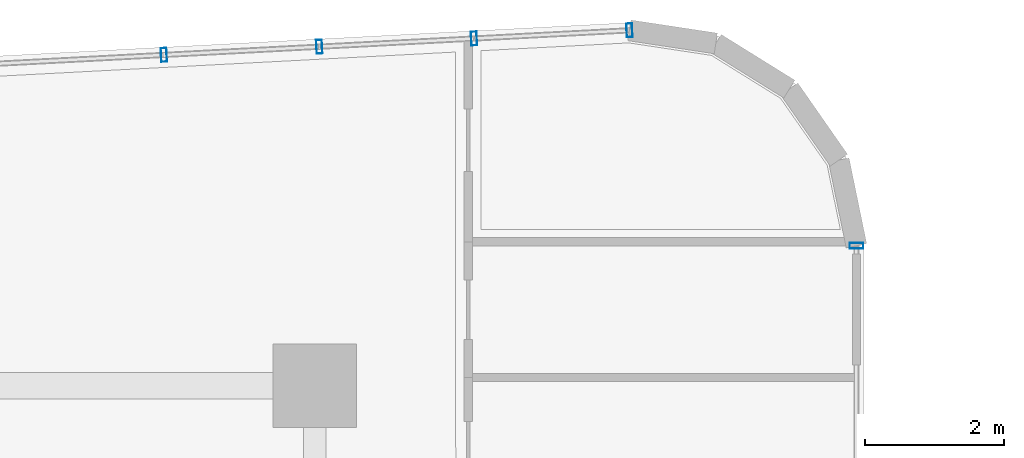
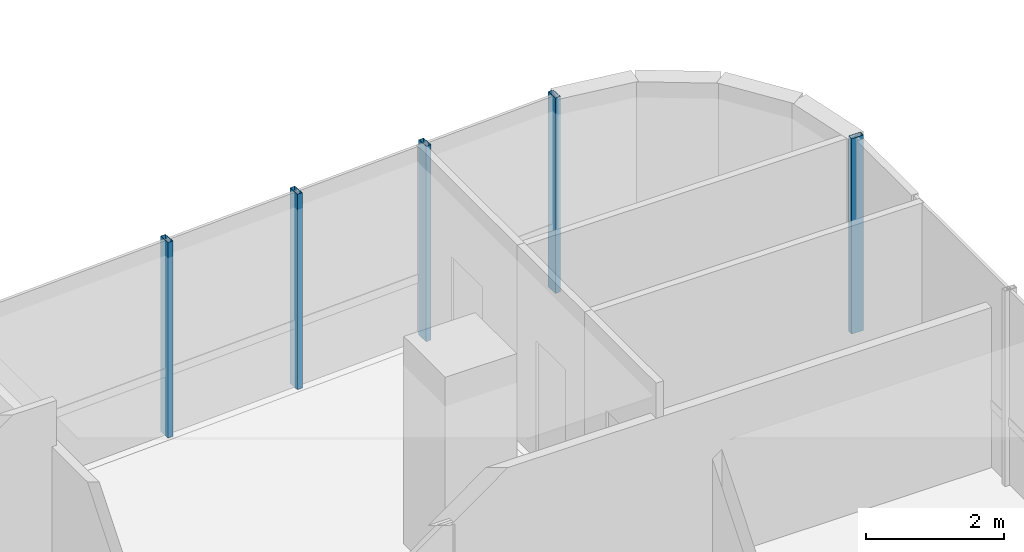
# One storey, part 22 of 34: 5 members, 2 elements without a shape of their own.
"""IFC4 building model written with IfcOpenShell, lengths in metres."""

from ifc_helpers import new_model, si_unit, direction, frame, origin, origin_2d, place, context, subcontext, project, spatial, hollow_rectangle, extrude, source, transform, mapped, material, material_profile, profile_set, type_object, element, aggregate, save


model = new_model("IFC4")

# Units and contexts
model_context = context("Model", 3, precision=1e-05, world=origin(), true_north=direction((0.0, 1.0)))
body_context = subcontext(model_context, "Body", "Model", "MODEL_VIEW")
ifc_project = project(units=[si_unit("LENGTHUNIT", "METRE"), si_unit("AREAUNIT", "SQUARE_METRE"), si_unit("VOLUMEUNIT", "CUBIC_METRE"), si_unit("PLANEANGLEUNIT", "RADIAN"), si_unit("MASSUNIT", "GRAM", prefix="KILO")], contexts=[model_context])

# Site, building, storey
site_placement = place(None, origin())
site = spatial("IfcSite", under=ifc_project, at=site_placement, CompositionType="ELEMENT")
building_placement = place(site_placement, origin())
building = spatial("IfcBuilding", under=site, at=building_placement, Name="Valdorenza Pilgrim Sanctuary Tower", CompositionType="ELEMENT")
storey_placement = place(building_placement, frame((0.0, 0.0, 164.89990234375)))
storey = spatial("IfcBuildingStorey", under=building, at=storey_placement, Name="L42", CompositionType="ELEMENT", Elevation=164.89990234375)

# Curtain wall, members
ifc_material_1 = material(Name="Curtain-wall IGU glazing", Category="glass")
curtain_wall_type = type_object("IfcCurtainWallType", Name="CW-SYS-02", PredefinedType="NOTDEFINED", material=ifc_material_1)
curtain_wall_1_placement = place(storey_placement, origin())
curtain_wall_1 = element("IfcCurtainWall", 1, at=curtain_wall_1_placement, inside=storey, type_object=curtain_wall_type, Name="L42 Curtain Wall CW-L42-1-6", PredefinedType="NOTDEFINED")
ifc_material_2 = material(Name="Anodised aluminium AW-6060", Category="aluminium")
ifc_material_profile = material_profile(ifc_material_2, hollow_rectangle(XDim=0.0849609375, YDim=0.199951171875, WallThickness=0.0048828125, at=origin_2d()), Name="ALU-M 200x85x5")
ifc_profile_set = profile_set([ifc_material_profile], Name="Anodised aluminium AW-6060")
member_type = type_object("IfcMemberType", Name="CW-MUL-02", PredefinedType="MULLION", material=ifc_profile_set)
shared_shape = source(origin(), body_context, "Body", "SweptSolid", [
    extrude(hollow_rectangle(XDim=0.0849609375, YDim=0.199951171875, WallThickness=0.0048828125, at=origin_2d()), origin(), (0.0, 0.0, 1.0), 3.460205078125),
])
member_1_placement = place(storey_placement, frame((-14.56689453125, 19.55810546875, 0.0), z_axis=(0.0, 0.0, 1.0), x_axis=(0.998607524712, 0.052754256601, 0.0)))
member_1 = element("IfcMember", 2, at=member_1_placement, type_object=member_type, Name="CW-L42-1-6 Mullion 3", PredefinedType="MULLION", context=body_context, shape_type="MappedRepresentation", body=[
    mapped(shared_shape, transform((0.0, 0.0, 0.0), x_axis=(1.0, 0.0, 0.0), y_axis=(0.0, 1.0, 0.0), z_axis=(0.0, 0.0, 1.0), scale=1.0)),
])
member_2_placement = place(storey_placement, frame((-7.874267578125, 19.91162109375, 0.0), z_axis=(0.0, 0.0, 1.0), x_axis=(0.998607524712, 0.052754256601, 0.0)))
member_2 = element("IfcMember", 3, at=member_2_placement, type_object=member_type, Name="CW-L42-1-6 Mullion 4", PredefinedType="MULLION", context=body_context, shape_type="MappedRepresentation", body=[
    mapped(shared_shape, transform((0.0, 0.0, 0.0), x_axis=(1.0, 0.0, 0.0), y_axis=(0.0, 1.0, 0.0), z_axis=(0.0, 0.0, 1.0), scale=1.0)),
])

# Curtain wall, member
curtain_wall_2_placement = place(storey_placement, origin())
curtain_wall_2 = element("IfcCurtainWall", 4, at=curtain_wall_2_placement, inside=storey, type_object=curtain_wall_type, Name="L42 Curtain Wall CW-L42-1-11", PredefinedType="NOTDEFINED")
member_3_placement = place(storey_placement, frame((-4.610107421875, 16.815185546875, 0.0), z_axis=(0.0, 0.0, 1.0), x_axis=(0.0, -1.0, 0.0)))
member_3 = element("IfcMember", 5, at=member_3_placement, type_object=member_type, Name="CW-L42-1-11 Mullion 1", PredefinedType="MULLION", context=body_context, shape_type="MappedRepresentation", body=[
    mapped(shared_shape, transform((0.0, 0.0, 0.0), x_axis=(1.0, 0.0, 0.0), y_axis=(0.0, 1.0, 0.0), z_axis=(0.0, 0.0, 1.0), scale=1.0)),
])
aggregate(curtain_wall_2, [member_3])

# Member
member_4_placement = place(storey_placement, frame((-12.332763671875, 19.676025390625, 0.0), z_axis=(0.0, 0.0, 1.0), x_axis=(0.998607524712, 0.052754256601, 0.0)))
member_4 = element("IfcMember", 6, at=member_4_placement, type_object=member_type, Name="CW-L42-1-6 Sub-Mullion 69-1", PredefinedType="MULLION", context=body_context, shape_type="MappedRepresentation", body=[
    mapped(shared_shape, transform((0.0, 0.0, 0.0), x_axis=(1.0, 0.0, 0.0), y_axis=(0.0, 1.0, 0.0), z_axis=(0.0, 0.0, 1.0), scale=1.0)),
])

member_5_placement = place(storey_placement, frame((-10.1083984375, 19.793701171875, 0.0), z_axis=(0.0, 0.0, 1.0), x_axis=(0.998607524712, 0.052754256601, 0.0)))
member_5 = element("IfcMember", 7, at=member_5_placement, type_object=member_type, Name="CW-L42-1-6 Sub-Mullion 69-2", PredefinedType="MULLION", context=body_context, shape_type="MappedRepresentation", body=[
    mapped(shared_shape, transform((0.0, 0.0, 0.0), x_axis=(1.0, 0.0, 0.0), y_axis=(0.0, 1.0, 0.0), z_axis=(0.0, 0.0, 1.0), scale=1.0)),
])

aggregate(curtain_wall_1, [member_1, member_2, member_4, member_5])

save(model, "model.ifc")
